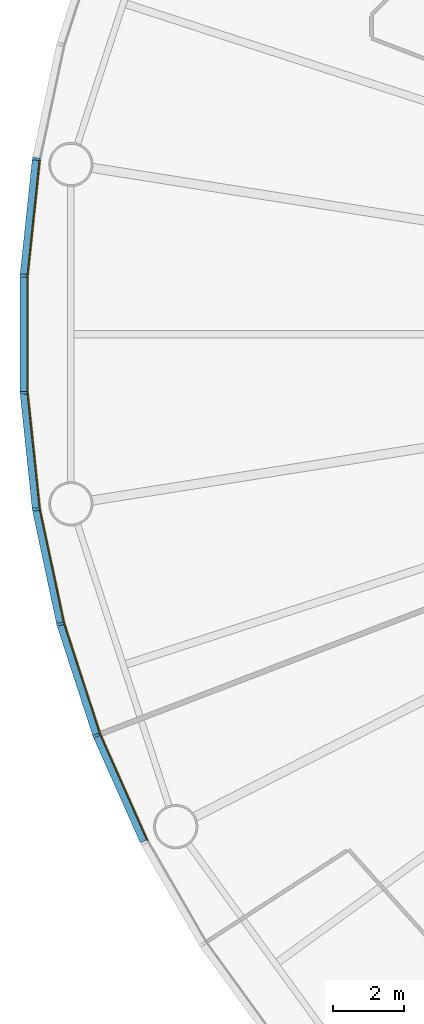
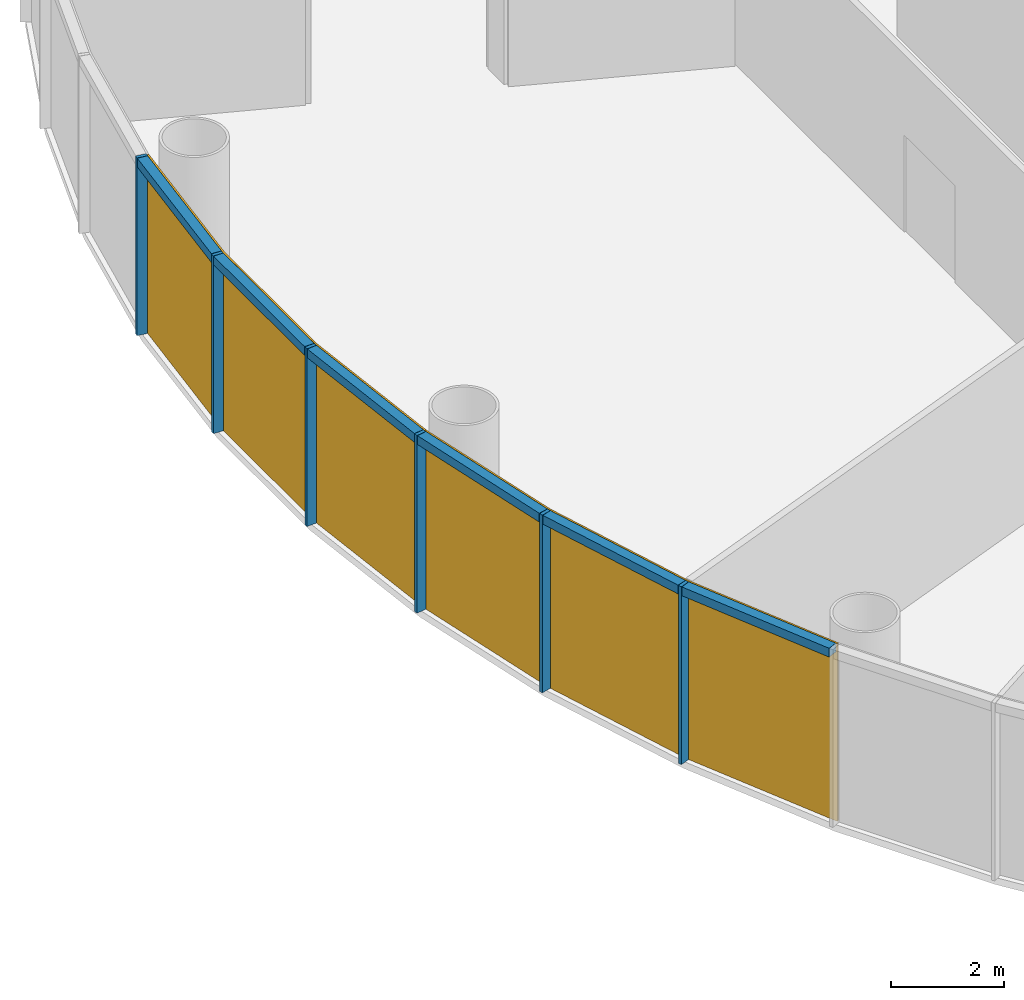
# One storey, part 8 of 13: 12 members, 2 curtain walls.
"""IFC4 building model written with IfcOpenShell, lengths in metres."""

from ifc_helpers import new_model, si_unit, direction, frame, origin, origin_2d, place, context, subcontext, project, spatial, polyline, rectangle, outline, extrude, material, layer, layer_set, material_profile, profile_set, type_object, element, aggregate, save


model = new_model("IFC4")

# Units and contexts
model_context = context("Model", 3, precision=1e-05, world=origin(), true_north=direction((0.0, 1.0)))
body_context = subcontext(model_context, "Body", "Model", "MODEL_VIEW")
ifc_project = project(units=[si_unit("LENGTHUNIT", "METRE"), si_unit("AREAUNIT", "SQUARE_METRE"), si_unit("VOLUMEUNIT", "CUBIC_METRE"), si_unit("PLANEANGLEUNIT", "RADIAN"), si_unit("MASSUNIT", "GRAM", prefix="KILO")], contexts=[model_context])

# Member
ifc_material_1 = material(Name="Anodised aluminium", Category="aluminium")
ifc_material_profile_1 = material_profile(ifc_material_1, rectangle(XDim=0.070068359375, YDim=0.199951171875, at=origin_2d()), Name="Mullion 70 x 200 mm anodised aluminium")
ifc_profile_set_1 = profile_set([ifc_material_profile_1], Name="Anodised aluminium")
member_type_1 = type_object("IfcMemberType", Name="Mullion 70 x 200 mm anodised aluminium", PredefinedType="MULLION", material=ifc_profile_set_1)
site_placement = place(None, origin())
building_placement = place(site_placement, origin())
storey_placement = place(building_placement, frame((0.0, 0.0, 124.0)))
member_1_placement = place(storey_placement, frame((58.7890625, 84.943359375, 0.0), z_axis=(0.0, 0.0, 1.0), x_axis=(-0.15643446504, -0.987688340595, 0.0)))
member_1 = element("IfcMember", 1, at=member_1_placement, type_object=member_type_1, Name="MULLION L28-27", PredefinedType="MULLION", context=body_context, shape_type="SweptSolid", body=[
    extrude(rectangle(XDim=0.070068359375, YDim=0.199951171875, at=origin_2d()), origin(), (0.0, 0.0, 1.0), 3.85009765625),
])

member_2_placement = place(storey_placement, frame((58.443359375, 81.65380859375, 0.0), z_axis=(0.0, 0.0, 1.0), x_axis=(-0.052335956243, -0.998629534755, 0.0)))
member_2 = element("IfcMember", 2, at=member_2_placement, type_object=member_type_1, Name="MULLION L28-28", PredefinedType="MULLION", context=body_context, shape_type="SweptSolid", body=[
    extrude(rectangle(XDim=0.070068359375, YDim=0.199951171875, at=origin_2d()), origin(), (0.0, 0.0, 1.0), 3.85009765625),
])

member_3_placement = place(storey_placement, frame((58.443359375, 78.34619140625, 0.0), z_axis=(0.0, 0.0, 1.0), x_axis=(0.052335956243, -0.998629534755, 0.0)))
member_3 = element("IfcMember", 3, at=member_3_placement, type_object=member_type_1, Name="MULLION L28-29", PredefinedType="MULLION", context=body_context, shape_type="SweptSolid", body=[
    extrude(rectangle(XDim=0.070068359375, YDim=0.199951171875, at=origin_2d()), origin(), (0.0, 0.0, 1.0), 3.85009765625),
])

member_4_placement = place(storey_placement, frame((58.7890625, 75.056640625, 0.0), z_axis=(0.0, 0.0, 1.0), x_axis=(0.15643446504, -0.987688340595, 0.0)))
member_4 = element("IfcMember", 4, at=member_4_placement, type_object=member_type_1, Name="MULLION L28-30", PredefinedType="MULLION", context=body_context, shape_type="SweptSolid", body=[
    extrude(rectangle(XDim=0.070068359375, YDim=0.199951171875, at=origin_2d()), origin(), (0.0, 0.0, 1.0), 3.85009765625),
])

member_5_placement = place(storey_placement, frame((59.476806640625, 71.8212890625, 0.0), z_axis=(0.0, 0.0, 1.0), x_axis=(0.258819045103, -0.965925826289, 0.0)))
member_5 = element("IfcMember", 5, at=member_5_placement, type_object=member_type_1, Name="MULLION L28-31", PredefinedType="MULLION", context=body_context, shape_type="SweptSolid", body=[
    extrude(rectangle(XDim=0.070068359375, YDim=0.199951171875, at=origin_2d()), origin(), (0.0, 0.0, 1.0), 3.85009765625),
])

member_6_placement = place(storey_placement, frame((60.498779296875, 68.675537109375, 0.0), z_axis=(0.0, 0.0, 1.0), x_axis=(0.358367949545, -0.933580426497, 0.0)))
member_6 = element("IfcMember", 6, at=member_6_placement, type_object=member_type_1, Name="MULLION L28-32", PredefinedType="MULLION", context=body_context, shape_type="SweptSolid", body=[
    extrude(rectangle(XDim=0.070068359375, YDim=0.199951171875, at=origin_2d()), origin(), (0.0, 0.0, 1.0), 3.85009765625),
])

ifc_material_2 = material(Name="Anodised aluminium", Category="aluminium")
ifc_material_profile_2 = material_profile(ifc_material_2, rectangle(XDim=0.199951171875, YDim=0.18994140625, at=origin_2d()), Name="Transom 190 x 200 mm anodised aluminium")
ifc_profile_set_2 = profile_set([ifc_material_profile_2], Name="Anodised aluminium")
member_type_2 = type_object("IfcMemberType", Name="Transom 190 x 200 mm anodised aluminium", PredefinedType="USERDEFINED", material=ifc_profile_set_2)
member_7_placement = place(storey_placement, frame((58.78466796875, 84.9033203125, 3.7548828125), z_axis=(-0.104550890115, -0.994519537956, 0.0), x_axis=(0.994519537956, -0.104550890115, 0.0)))
member_7 = element("IfcMember", 7, at=member_7_placement, type_object=member_type_2, Name="TRANSOM L28-27", ObjectType="TRANSOM", PredefinedType="USERDEFINED", context=body_context, shape_type="SweptSolid", body=[
    extrude(rectangle(XDim=0.199951171875, YDim=0.18994140625, at=origin_2d()), origin(), (0.0, 0.0, 1.0), 3.22705078125),
])

member_8_placement = place(storey_placement, frame((58.443115234375, 81.613525390625, 3.7548828125), z_axis=(0.0, -1.0, 0.0), x_axis=(1.0, 0.0, 0.0)))
member_8 = element("IfcMember", 8, at=member_8_placement, type_object=member_type_2, Name="TRANSOM L28-28", ObjectType="TRANSOM", PredefinedType="USERDEFINED", context=body_context, shape_type="SweptSolid", body=[
    extrude(rectangle(XDim=0.199951171875, YDim=0.18994140625, at=origin_2d()), origin(), (0.0, 0.0, 1.0), 3.22705078125),
])

member_9_placement = place(storey_placement, frame((58.447265625, 78.30615234375, 3.7548828125), z_axis=(0.104550890115, -0.994519537956, 0.0), x_axis=(0.994519537956, 0.104550890115, 0.0)))
member_9 = element("IfcMember", 9, at=member_9_placement, type_object=member_type_2, Name="TRANSOM L28-29", ObjectType="TRANSOM", PredefinedType="USERDEFINED", context=body_context, shape_type="SweptSolid", body=[
    extrude(rectangle(XDim=0.199951171875, YDim=0.18994140625, at=origin_2d()), origin(), (0.0, 0.0, 1.0), 3.22705078125),
])

member_10_placement = place(storey_placement, frame((58.79736328125, 75.017333984375, 3.7548828125), z_axis=(0.207885898771, -0.978153082647, 0.0), x_axis=(0.978153082647, 0.207885898771, 0.0)))
member_10 = element("IfcMember", 10, at=member_10_placement, type_object=member_type_2, Name="TRANSOM L28-30", ObjectType="TRANSOM", PredefinedType="USERDEFINED", context=body_context, shape_type="SweptSolid", body=[
    extrude(rectangle(XDim=0.199951171875, YDim=0.18994140625, at=origin_2d()), origin(), (0.0, 0.0, 1.0), 3.227294921875),
])

member_11_placement = place(storey_placement, frame((59.489013671875, 71.782958984375, 3.7548828125), z_axis=(0.309046726844, -0.951046855117, 0.0), x_axis=(0.951046855117, 0.309046726844, 0.0)))
member_11 = element("IfcMember", 11, at=member_11_placement, type_object=member_type_2, Name="TRANSOM L28-31", ObjectType="TRANSOM", PredefinedType="USERDEFINED", context=body_context, shape_type="SweptSolid", body=[
    extrude(rectangle(XDim=0.199951171875, YDim=0.18994140625, at=origin_2d()), origin(), (0.0, 0.0, 1.0), 3.22705078125),
])

member_12_placement = place(storey_placement, frame((60.51513671875, 68.638671875, 3.7548828125), z_axis=(0.406728032322, -0.913549291349, 0.0), x_axis=(0.913549291349, 0.406728032322, 0.0)))
member_12 = element("IfcMember", 12, at=member_12_placement, type_object=member_type_2, Name="TRANSOM L28-32", ObjectType="TRANSOM", PredefinedType="USERDEFINED", context=body_context, shape_type="SweptSolid", body=[
    extrude(rectangle(XDim=0.199951171875, YDim=0.18994140625, at=origin_2d()), origin(), (0.0, 0.0, 1.0), 3.22705078125),
])

# Site, building, storey
site = spatial("IfcSite", under=ifc_project, at=site_placement, CompositionType="ELEMENT")
building = spatial("IfcBuilding", under=site, at=building_placement, Name="Entoto Ring Tower", CompositionType="ELEMENT")
storey = spatial("IfcBuildingStorey", under=building, at=storey_placement, Name="L28", CompositionType="ELEMENT", Elevation=124.0)

# Curtain wall
ifc_material_3 = material(Name="Clear low-iron glass", Category="glass")
ifc_layer = layer(ifc_material_3, 0.035888671875)
ifc_layer_set = layer_set([ifc_layer], Name="Clear low-iron glass")
curtain_wall_type = type_object("IfcCurtainWallType", Name="Curtain wall system CW2 glazing 36 mm", PredefinedType="NOTDEFINED", material=ifc_layer_set)
curtain_wall_1_placement = place(storey_placement, origin())
curtain_wall_1 = element("IfcCurtainWall", 13, at=curtain_wall_1_placement, inside=storey, type_object=curtain_wall_type, Name="CW2 L28-10", PredefinedType="NOTDEFINED", context=body_context, shape_type="SweptSolid", body=[
    extrude(outline(polyline([(58.8876953125, 84.927734375), (58.543212890625, 81.648681640625), (58.543212890625, 78.351318359375), (58.8876953125, 75.072265625), (58.92333984375, 75.077880859375), (58.5791015625, 78.353271484375), (58.5791015625, 81.646728515625), (58.92333984375, 84.922119140625), (58.8876953125, 84.927734375)])), origin(), (0.0, 0.0, 1.0), 3.85009765625),
])

aggregate(curtain_wall_1, [member_1, member_2, member_3, member_7, member_8, member_9])

curtain_wall_2_placement = place(storey_placement, origin())
curtain_wall_2 = element("IfcCurtainWall", 14, at=curtain_wall_2_placement, inside=storey, type_object=curtain_wall_type, Name="CW2 L28-11", PredefinedType="NOTDEFINED", context=body_context, shape_type="SweptSolid", body=[
    extrude(outline(polyline([(58.8876953125, 75.072265625), (59.5732421875, 71.84716796875), (60.59228515625, 68.71142578125), (61.933349609375, 65.69921875), (61.96533203125, 65.715576171875), (60.6259765625, 68.724365234375), (59.608154296875, 71.8564453125), (58.92333984375, 75.077880859375), (58.8876953125, 75.072265625)])), origin(), (0.0, 0.0, 1.0), 3.85009765625),
])

aggregate(curtain_wall_2, [member_4, member_5, member_6, member_10, member_11, member_12])

save(model, "model.ifc")
